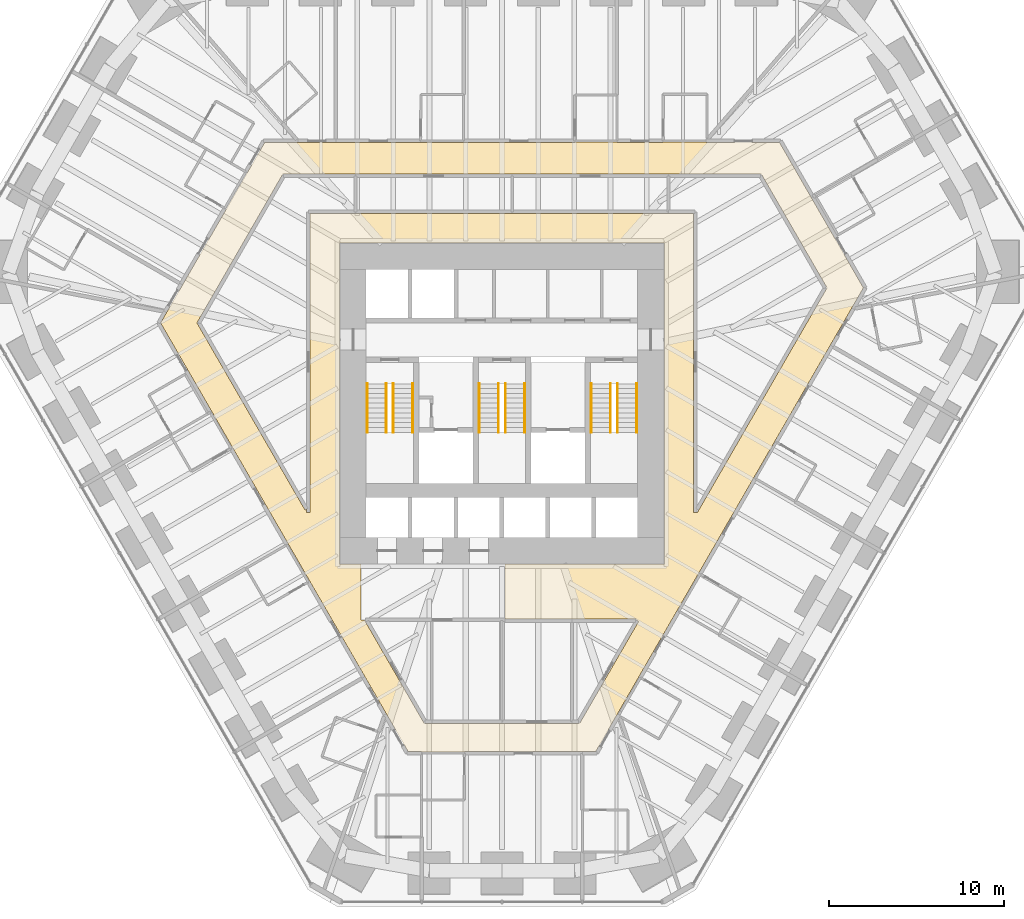
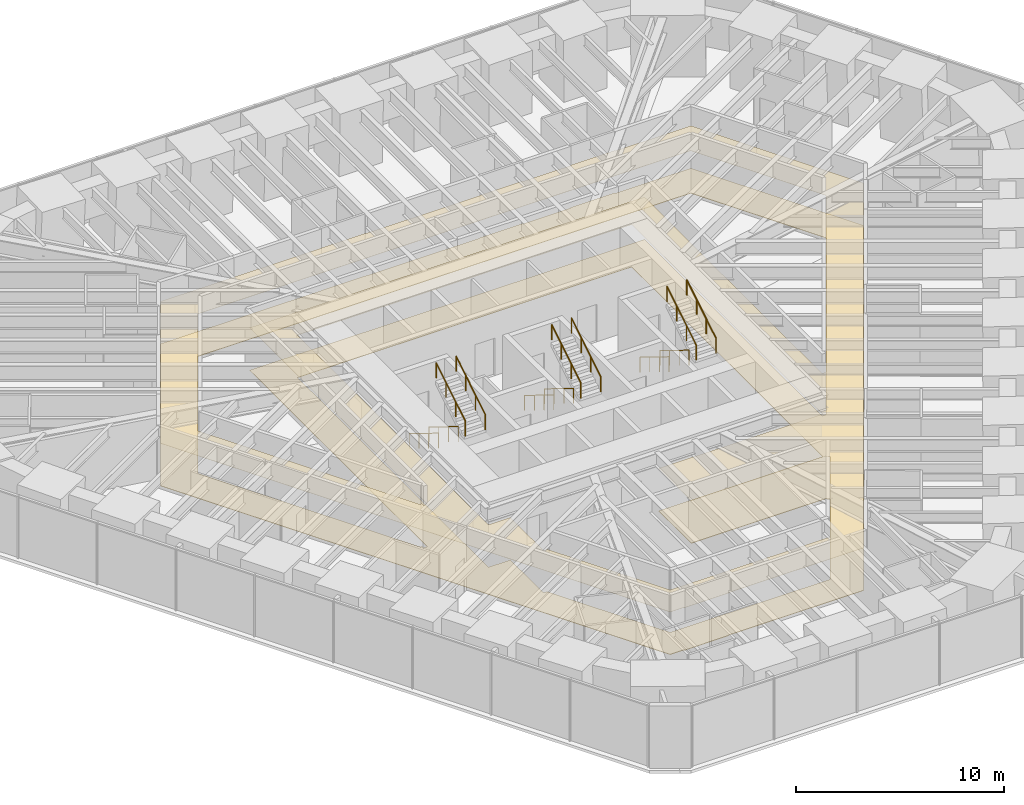
# One storey, part 17 of 17: 12 railings, 2 coverings.
"""IFC4 building model written with IfcOpenShell, lengths in metres."""

from ifc_helpers import new_model, si_unit, direction, frame, origin, origin_2d, place, context, subcontext, project, spatial, polyline, circle, outline, extrude, material, layer, layer_set, type_object, element, save


model = new_model("IFC4")

# Units and contexts
model_context = context("Model", 3, precision=1e-05, world=origin(), true_north=direction((0.0, 1.0)))
body_context = subcontext(model_context, "Body", "Model", "MODEL_VIEW")
ifc_project = project(units=[si_unit("LENGTHUNIT", "METRE"), si_unit("AREAUNIT", "SQUARE_METRE"), si_unit("VOLUMEUNIT", "CUBIC_METRE"), si_unit("PLANEANGLEUNIT", "RADIAN"), si_unit("MASSUNIT", "GRAM", prefix="KILO")], contexts=[model_context])

# Site, building, storey
site_placement = place(None, origin())
site = spatial("IfcSite", under=ifc_project, at=site_placement, CompositionType="ELEMENT")
building_placement = place(site_placement, origin())
building = spatial("IfcBuilding", under=site, at=building_placement, Name="Sandreach Pilgrim Tower", CompositionType="ELEMENT")
storey_placement = place(building_placement, frame((0.0, 0.0, 64.800048828125)))
storey = spatial("IfcBuildingStorey", under=building, at=storey_placement, Name="L15", CompositionType="ELEMENT", Elevation=64.800048828125)

# Covering
ifc_material_1 = material(Name="Gypsum board suspended ceiling on a steel grid", Category="steel")
ifc_layer_1 = layer(ifc_material_1, 0.012939453125)
ifc_layer_set_1 = layer_set([ifc_layer_1], Name="Gypsum board suspended ceiling")
covering_type_1 = type_object("IfcCoveringType", Name="Gypsum board suspended ceiling", PredefinedType="CEILING", material=ifc_layer_set_1)
covering_1_placement = place(storey_placement, frame((0.0, 0.0, 2.5)))
element("IfcCovering", 1, at=covering_1_placement, inside=storey, type_object=covering_type_1, Name="Ceiling 15C Corridor 15", PredefinedType="CEILING", context=body_context, shape_type="SweptSolid", body=[
    extrude(outline(polyline([(-19.49462890625, 3.06005859375), (-13.55224609375, 13.35009765625), (-4.639892578125, 13.35009765625), (-4.639892578125, 13.3642578125), (-2.18994140625, 13.367919921875), (-2.18994140625, 13.35009765625), (4.159912109375, 13.35009765625), (4.159912109375, 13.378173828125), (6.56005859375, 13.3818359375), (6.56005859375, 13.35009765625), (9.2099609375, 13.35009765625), (9.2099609375, 13.38623046875), (11.64990234375, 13.389892578125), (11.64990234375, 13.35009765625), (15.8623046875, 13.35009765625), (20.64453125, 5.059814453125), (5.3623046875, -21.409912109375), (-2.139892578125, -21.409912109375), (-2.139892578125, -21.440185546875), (-4.590087890625, -21.449951171875), (-4.590087890625, -21.409912109375), (-5.3623046875, -21.409912109375), (-19.49462890625, 3.06005859375)]), holes=[polyline([(-17.41552734375, 3.06005859375), (-11.24658203125, -7.61962890625), (-11.14990234375, -7.563720703125), (-11.14990234375, -7.760009765625), (-10.949951171875, -7.760009765625), (-10.949951171875, 9.300048828125), (10.949951171875, 9.300048828125), (10.949951171875, -7.760009765625), (11.16552734375, -7.760009765625), (18.5654296875, 5.06005859375), (14.817626953125, 11.550048828125), (-12.517822265625, 11.550048828125), (-17.41552734375, 3.06005859375)]), polyline([(-8.050048828125, -10.719970703125), (-8.050048828125, -13.89990234375), (-7.8544921875, -13.89990234375), (-4.437744140625, -19.81005859375), (4.437744140625, -19.81005859375), (7.796630859375, -14.0), (7.635009765625, -13.85009765625), (0.179931640625, -13.85009765625), (0.175048828125, -10.719970703125), (9.27001953125, -10.719970703125), (9.27001953125, 7.6201171875), (-9.27001953125, 7.6201171875), (-9.27001953125, -10.719970703125), (-8.050048828125, -10.719970703125)])]), origin(), (0.0, 0.0, 1.0), 0.012939453125),
])

# Railings
ifc_material_2 = material(Name="Stainless steel tube", Category="steel")
railing_type = type_object("IfcRailingType", Name="Stair handrail", PredefinedType="HANDRAIL", material=ifc_material_2)
for number, where, name in (
    (2, (-6.60009765625, -0.39990234375, 0.172607421875), "Handrail ST1 L15 flight 1"),
    (3, (-7.699951171875, -0.39990234375, 0.172607421875), "Handrail ST1 L15 flight 1"),
):
    element("IfcRailing", number, at=place(storey_placement, frame(where)), inside=storey, type_object=railing_type, Name=name, PredefinedType="HANDRAIL", context=body_context, shape_type="SweptSolid", body=[
        extrude(circle(Radius=0.02392578125, at=origin_2d()), frame((0.0, 0.0, 0.8759765625), z_axis=(0.0, -0.851089632645, 0.525020415988), x_axis=(1.0, 0.0, 0.0)), (0.0, 0.0, 1.0), 3.2900390625),
        extrude(circle(Radius=0.02099609375, at=origin_2d()), origin(), (0.0, 0.0, 1.0), 0.851806640625),
        extrude(circle(Radius=0.02099609375, at=origin_2d()), frame((0.0, -0.933349609375, 0.57568359375)), (0.0, 0.0, 1.0), 0.851806640625),
        extrude(circle(Radius=0.02099609375, at=origin_2d()), frame((0.0, -1.86669921875, 1.151611328125)), (0.0, 0.0, 1.0), 0.851806640625),
        extrude(circle(Radius=0.02099609375, at=origin_2d()), frame((0.0, -2.800048828125, 1.727294921875)), (0.0, 0.0, 1.0), 0.851806640625),
    ])
for number, where, name in (
    (4, (-6.199951171875, -3.199951171875, 2.07275390625), "Handrail ST1 L15 flight 2"),
    (5, (-5.10009765625, -3.199951171875, 2.07275390625), "Handrail ST1 L15 flight 2"),
):
    element("IfcRailing", number, at=place(storey_placement, frame(where)), inside=storey, type_object=railing_type, Name=name, PredefinedType="HANDRAIL", context=body_context, shape_type="SweptSolid", body=[
        extrude(circle(Radius=0.02392578125, at=origin_2d()), frame((0.0, 0.0, 0.8759765625), z_axis=(0.0, 0.851089632645, 0.525020415988), x_axis=(-1.0, 0.0, 0.0)), (0.0, 0.0, 1.0), 3.2900390625),
        extrude(circle(Radius=0.02099609375, at=origin_2d()), origin(), (0.0, 0.0, 1.0), 0.851806640625),
        extrude(circle(Radius=0.02099609375, at=origin_2d()), frame((0.0, 0.933349609375, 0.57568359375)), (0.0, 0.0, 1.0), 0.851806640625),
        extrude(circle(Radius=0.02099609375, at=origin_2d()), frame((0.0, 1.86669921875, 1.151611328125)), (0.0, 0.0, 1.0), 0.851806640625),
        extrude(circle(Radius=0.02099609375, at=origin_2d()), frame((0.0, 2.800048828125, 1.727294921875)), (0.0, 0.0, 1.0), 0.851806640625),
    ])
for number, where, name in (
    (6, (-0.199951171875, -0.39990234375, 0.172607421875), "Handrail ST3 L15 flight 1"),
    (7, (-1.300048828125, -0.39990234375, 0.172607421875), "Handrail ST3 L15 flight 1"),
):
    element("IfcRailing", number, at=place(storey_placement, frame(where)), inside=storey, type_object=railing_type, Name=name, PredefinedType="HANDRAIL", context=body_context, shape_type="SweptSolid", body=[
        extrude(circle(Radius=0.02392578125, at=origin_2d()), frame((0.0, 0.0, 0.8759765625), z_axis=(0.0, -0.851089632645, 0.525020415988), x_axis=(1.0, 0.0, 0.0)), (0.0, 0.0, 1.0), 3.2900390625),
        extrude(circle(Radius=0.02099609375, at=origin_2d()), origin(), (0.0, 0.0, 1.0), 0.851806640625),
        extrude(circle(Radius=0.02099609375, at=origin_2d()), frame((0.0, -0.933349609375, 0.57568359375)), (0.0, 0.0, 1.0), 0.851806640625),
        extrude(circle(Radius=0.02099609375, at=origin_2d()), frame((0.0, -1.86669921875, 1.151611328125)), (0.0, 0.0, 1.0), 0.851806640625),
        extrude(circle(Radius=0.02099609375, at=origin_2d()), frame((0.0, -2.800048828125, 1.727294921875)), (0.0, 0.0, 1.0), 0.851806640625),
    ])
for number, where, name in (
    (8, (0.199951171875, -3.199951171875, 2.07275390625), "Handrail ST3 L15 flight 2"),
    (9, (1.300048828125, -3.199951171875, 2.07275390625), "Handrail ST3 L15 flight 2"),
):
    element("IfcRailing", number, at=place(storey_placement, frame(where)), inside=storey, type_object=railing_type, Name=name, PredefinedType="HANDRAIL", context=body_context, shape_type="SweptSolid", body=[
        extrude(circle(Radius=0.02392578125, at=origin_2d()), frame((0.0, 0.0, 0.8759765625), z_axis=(0.0, 0.851089632645, 0.525020415988), x_axis=(-1.0, 0.0, 0.0)), (0.0, 0.0, 1.0), 3.2900390625),
        extrude(circle(Radius=0.02099609375, at=origin_2d()), origin(), (0.0, 0.0, 1.0), 0.851806640625),
        extrude(circle(Radius=0.02099609375, at=origin_2d()), frame((0.0, 0.933349609375, 0.57568359375)), (0.0, 0.0, 1.0), 0.851806640625),
        extrude(circle(Radius=0.02099609375, at=origin_2d()), frame((0.0, 1.86669921875, 1.151611328125)), (0.0, 0.0, 1.0), 0.851806640625),
        extrude(circle(Radius=0.02099609375, at=origin_2d()), frame((0.0, 2.800048828125, 1.727294921875)), (0.0, 0.0, 1.0), 0.851806640625),
    ])
for number, where, name in (
    (10, (6.199951171875, -0.39990234375, 0.172607421875), "Handrail ST2 L15 flight 1"),
    (11, (5.10009765625, -0.39990234375, 0.172607421875), "Handrail ST2 L15 flight 1"),
):
    element("IfcRailing", number, at=place(storey_placement, frame(where)), inside=storey, type_object=railing_type, Name=name, PredefinedType="HANDRAIL", context=body_context, shape_type="SweptSolid", body=[
        extrude(circle(Radius=0.02392578125, at=origin_2d()), frame((0.0, 0.0, 0.8759765625), z_axis=(0.0, -0.851089632645, 0.525020415988), x_axis=(1.0, 0.0, 0.0)), (0.0, 0.0, 1.0), 3.2900390625),
        extrude(circle(Radius=0.02099609375, at=origin_2d()), origin(), (0.0, 0.0, 1.0), 0.851806640625),
        extrude(circle(Radius=0.02099609375, at=origin_2d()), frame((0.0, -0.933349609375, 0.57568359375)), (0.0, 0.0, 1.0), 0.851806640625),
        extrude(circle(Radius=0.02099609375, at=origin_2d()), frame((0.0, -1.86669921875, 1.151611328125)), (0.0, 0.0, 1.0), 0.851806640625),
        extrude(circle(Radius=0.02099609375, at=origin_2d()), frame((0.0, -2.800048828125, 1.727294921875)), (0.0, 0.0, 1.0), 0.851806640625),
    ])
for number, where, name in (
    (12, (6.60009765625, -3.199951171875, 2.07275390625), "Handrail ST2 L15 flight 2"),
    (13, (7.699951171875, -3.199951171875, 2.07275390625), "Handrail ST2 L15 flight 2"),
):
    element("IfcRailing", number, at=place(storey_placement, frame(where)), inside=storey, type_object=railing_type, Name=name, PredefinedType="HANDRAIL", context=body_context, shape_type="SweptSolid", body=[
        extrude(circle(Radius=0.02392578125, at=origin_2d()), frame((0.0, 0.0, 0.8759765625), z_axis=(0.0, 0.851089632645, 0.525020415988), x_axis=(-1.0, 0.0, 0.0)), (0.0, 0.0, 1.0), 3.2900390625),
        extrude(circle(Radius=0.02099609375, at=origin_2d()), origin(), (0.0, 0.0, 1.0), 0.851806640625),
        extrude(circle(Radius=0.02099609375, at=origin_2d()), frame((0.0, 0.933349609375, 0.57568359375)), (0.0, 0.0, 1.0), 0.851806640625),
        extrude(circle(Radius=0.02099609375, at=origin_2d()), frame((0.0, 1.86669921875, 1.151611328125)), (0.0, 0.0, 1.0), 0.851806640625),
        extrude(circle(Radius=0.02099609375, at=origin_2d()), frame((0.0, 2.800048828125, 1.727294921875)), (0.0, 0.0, 1.0), 0.851806640625),
    ])

# Covering
ifc_material_3 = material(Name="Cement terrazzo, ground and polished", Category="terrazzo")
ifc_layer_2 = layer(ifc_material_3, 0.02490234375)
ifc_layer_set_2 = layer_set([ifc_layer_2], Name="Terrazzo")
covering_type_2 = type_object("IfcCoveringType", Name="Terrazzo", PredefinedType="FLOORING", material=ifc_layer_set_2)
covering_2_placement = place(storey_placement, origin())
element("IfcCovering", 14, at=covering_2_placement, inside=storey, type_object=covering_type_2, Name="Floor finish 15C Corridor 15", PredefinedType="FLOORING", context=body_context, shape_type="SweptSolid", body=[
    extrude(outline(polyline([(-19.49462890625, 3.06005859375), (-13.55224609375, 13.35009765625), (-4.639892578125, 13.35009765625), (-4.639892578125, 13.3642578125), (-2.18994140625, 13.367919921875), (-2.18994140625, 13.35009765625), (4.159912109375, 13.35009765625), (4.159912109375, 13.378173828125), (6.56005859375, 13.3818359375), (6.56005859375, 13.35009765625), (9.2099609375, 13.35009765625), (9.2099609375, 13.38623046875), (11.64990234375, 13.389892578125), (11.64990234375, 13.35009765625), (15.8623046875, 13.35009765625), (20.64453125, 5.059814453125), (5.3623046875, -21.409912109375), (-2.139892578125, -21.409912109375), (-2.139892578125, -21.440185546875), (-4.590087890625, -21.449951171875), (-4.590087890625, -21.409912109375), (-5.3623046875, -21.409912109375), (-19.49462890625, 3.06005859375)]), holes=[polyline([(-17.41552734375, 3.06005859375), (-11.24658203125, -7.61962890625), (-11.14990234375, -7.563720703125), (-11.14990234375, -7.760009765625), (-10.949951171875, -7.760009765625), (-10.949951171875, 9.300048828125), (10.949951171875, 9.300048828125), (10.949951171875, -7.760009765625), (11.16552734375, -7.760009765625), (18.5654296875, 5.06005859375), (14.817626953125, 11.550048828125), (-12.517822265625, 11.550048828125), (-17.41552734375, 3.06005859375)]), polyline([(-8.050048828125, -10.719970703125), (-8.050048828125, -13.89990234375), (-7.8544921875, -13.89990234375), (-4.437744140625, -19.81005859375), (4.437744140625, -19.81005859375), (7.796630859375, -14.0), (7.635009765625, -13.85009765625), (0.179931640625, -13.85009765625), (0.175048828125, -10.719970703125), (9.27001953125, -10.719970703125), (9.27001953125, 7.6201171875), (-9.27001953125, 7.6201171875), (-9.27001953125, -10.719970703125), (-8.050048828125, -10.719970703125)])]), origin(), (0.0, 0.0, 1.0), 0.02490234375),
])

save(model, "model.ifc")
